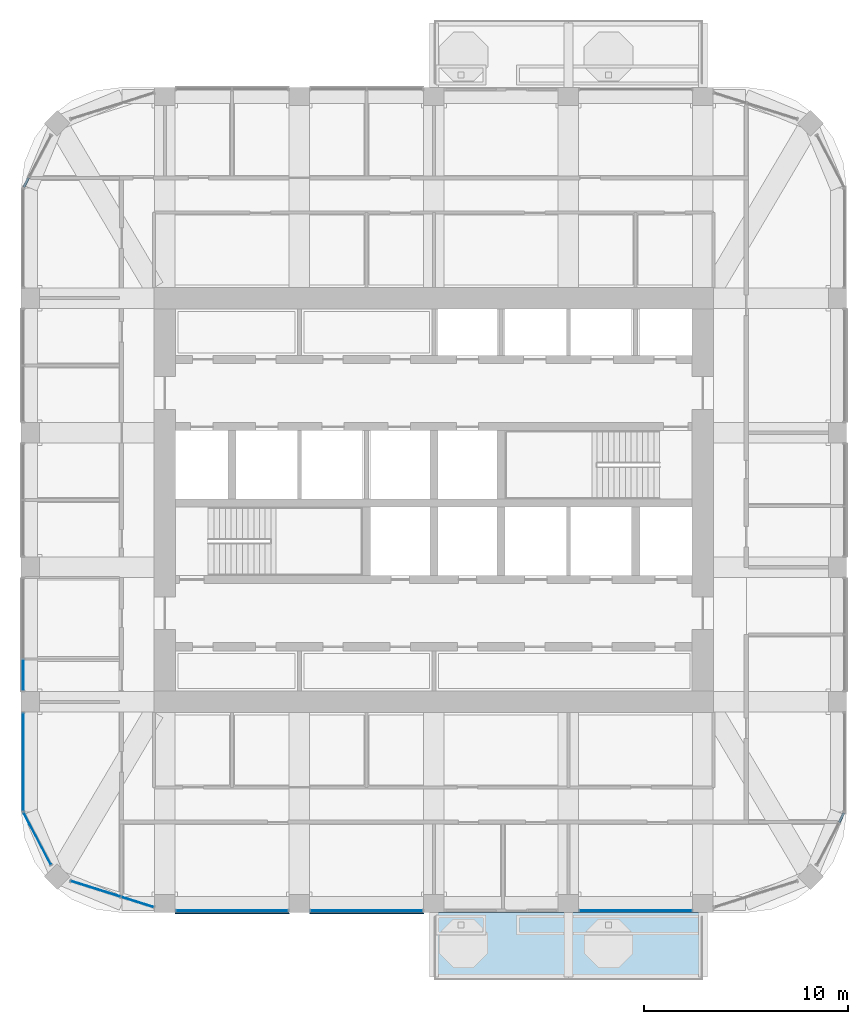
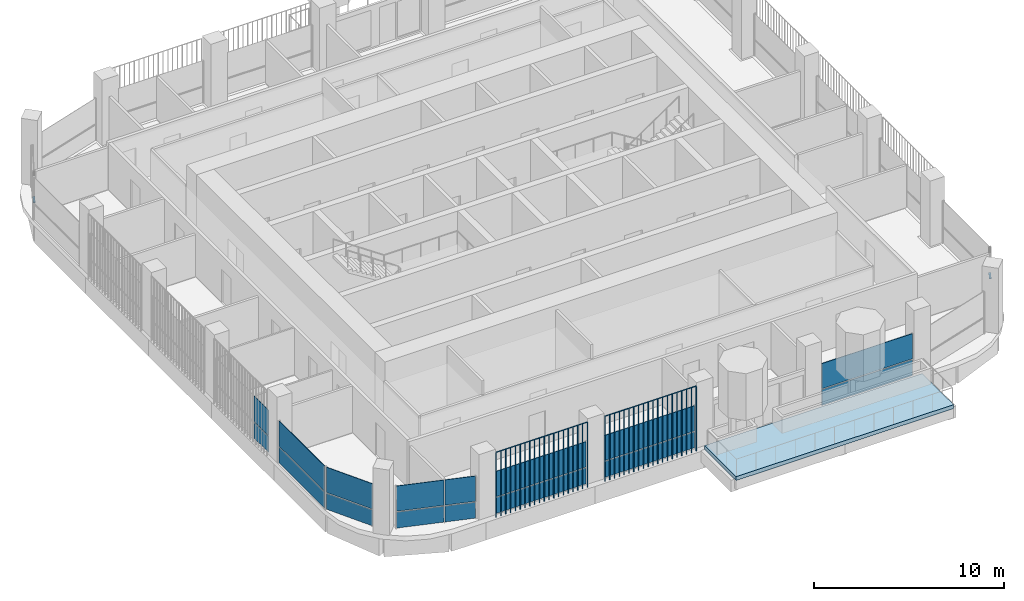
# One storey, part 8 of 21: 18 plates, 2 members, 1 slab, 9 elements without a shape of their own.
"""IFC4 building model written with IfcOpenShell, lengths in metres."""

from ifc_helpers import new_model, si_unit, direction, frame, origin, origin_2d, place, context, subcontext, project, spatial, polyline, rectangle, outline, extrude, material, layer, layer_set, material_profile, profile_set, type_object, element, aggregate, save


model = new_model("IFC4")

# Units and contexts
model_context = context("Model", 3, precision=1e-05, world=origin(), true_north=direction((0.0, 1.0)))
body_context = subcontext(model_context, "Body", "Model", "MODEL_VIEW")
ifc_project = project(units=[si_unit("LENGTHUNIT", "METRE"), si_unit("AREAUNIT", "SQUARE_METRE"), si_unit("VOLUMEUNIT", "CUBIC_METRE"), si_unit("PLANEANGLEUNIT", "RADIAN"), si_unit("MASSUNIT", "GRAM", prefix="KILO")], contexts=[model_context])

# Site, building, storey
site_placement = place(None, origin())
site = spatial("IfcSite", under=ifc_project, at=site_placement, CompositionType="ELEMENT")
building_placement = place(site_placement, origin())
building = spatial("IfcBuilding", under=site, at=building_placement, Name="Cobogo Forest Laboratory Tower", CompositionType="ELEMENT")
storey_placement = place(building_placement, frame((0.0, 0.0, 267.0)))
storey = spatial("IfcBuildingStorey", under=building, at=storey_placement, Name="L61", CompositionType="ELEMENT", Elevation=267.0)

# Curtain wall, member
ifc_material_1 = material(Name="Aluminium curtain wall", Category="aluminium")
curtain_wall_type = type_object("IfcCurtainWallType", Name="CW-2 unitised curtain wall, solar control glazing, laboratory floors zones C and D", PredefinedType="USERDEFINED", material=ifc_material_1)
curtain_wall_1_placement = place(storey_placement, origin())
curtain_wall_1 = element("IfcCurtainWall", 1, at=curtain_wall_1_placement, inside=storey, type_object=curtain_wall_type, Name="Curtain wall 06 L61", ObjectType="UNITISED CURTAIN WALL", PredefinedType="USERDEFINED")
ifc_material_2 = material(Name="Aluminium transom", Category="aluminium")
ifc_material_profile = material_profile(ifc_material_2, rectangle(XDim=0.1201171875, YDim=0.06005859375, at=origin_2d()), Name="AL 60x120")
ifc_profile_set = profile_set([ifc_material_profile], Name="Aluminium transom")
member_type = type_object("IfcMemberType", Name="TR-1 aluminium transom 60x120", PredefinedType="USERDEFINED", material=ifc_profile_set)
member_1_placement = place(storey_placement, frame((46.282470703125, 7.289306640625, 1.050048828125), z_axis=(0.46414828098, 0.885757513806, 0.0), x_axis=(-0.885757513806, 0.46414828098, 0.0)))
member_1 = element("IfcMember", 2, at=member_1_placement, type_object=member_type, Name="CW-2 transom 2.1", ObjectType="TRANSOM", PredefinedType="USERDEFINED", context=body_context, shape_type="SweptSolid", body=[
    extrude(rectangle(XDim=0.1201171875, YDim=0.06005859375, at=origin_2d()), origin(), (0.0, 0.0, 1.0), 0.5166015625),
])
aggregate(curtain_wall_1, [member_1])

curtain_wall_2_placement = place(storey_placement, origin())
curtain_wall_2 = element("IfcCurtainWall", 3, at=curtain_wall_2_placement, inside=storey, type_object=curtain_wall_type, Name="Curtain wall 19 L61", ObjectType="UNITISED CURTAIN WALL", PredefinedType="USERDEFINED")
member_2_placement = place(storey_placement, frame((6.517578125, 38.91064453125, 1.050048828125), z_axis=(-0.46414828098, -0.885757513806, 0.0), x_axis=(0.885757513806, -0.46414828098, 0.0)))
member_2 = element("IfcMember", 4, at=member_2_placement, type_object=member_type, Name="CW-2 transom 2.1", ObjectType="TRANSOM", PredefinedType="USERDEFINED", context=body_context, shape_type="SweptSolid", body=[
    extrude(rectangle(XDim=0.1201171875, YDim=0.06005859375, at=origin_2d()), origin(), (0.0, 0.0, 1.0), 0.5166015625),
])
aggregate(curtain_wall_2, [member_2])

# Slab
ifc_material_3 = material(Name="Concrete HA-40 (C40/50)", Category="concrete")
ifc_layer_1 = layer(ifc_material_3, 0.25)
ifc_layer_set_1 = layer_set([ifc_layer_1], Name="Balcony slab 250")
slab_type = type_object("IfcSlabType", Name="Balcony slab 250", PredefinedType="FLOOR", material=ifc_layer_set_1)
slab_placement = place(storey_placement, frame((0.0, 0.0, -0.25)))
element("IfcSlab", 5, at=slab_placement, inside=storey, type_object=slab_type, Name="Balcony BAL-S1 L61", PredefinedType="FLOOR", context=body_context, shape_type="SweptSolid", body=[
    extrude(outline(polyline([(26.39990234375, -0.449951171875), (39.60009765625, -0.449951171875), (39.60009765625, 2.85009765625), (26.39990234375, 2.85009765625), (26.39990234375, -0.449951171875)])), origin(), (0.0, 0.0, 1.0), 0.25),
])

# Curtain wall, plates
curtain_wall_3_placement = place(storey_placement, origin())
curtain_wall_3 = element("IfcCurtainWall", 6, at=curtain_wall_3_placement, inside=storey, type_object=curtain_wall_type, Name="Curtain wall 01 L61", ObjectType="UNITISED CURTAIN WALL", PredefinedType="USERDEFINED")
ifc_material_4 = material(Name="Solar control insulated glass", Category="glass")
ifc_layer_2 = layer(ifc_material_4, 0.031982421875)
ifc_layer_set_2 = layer_set([ifc_layer_2], Name="GP-2 solar control glass unit 32")
plate_type_1 = type_object("IfcPlateType", Name="GP-2 solar control glass unit 32", PredefinedType="CURTAIN_PANEL", material=ifc_layer_set_2)
plate_1_placement = place(storey_placement, frame((16.5, 2.949951171875, 0.0), z_axis=(0.0, 0.0, 1.0), x_axis=(1.0, 0.0, 0.0)))
plate_1 = element("IfcPlate", 7, at=plate_1_placement, type_object=plate_type_1, Name="CW-2 panel 1.1", PredefinedType="CURTAIN_PANEL", context=body_context, shape_type="SweptSolid", body=[
    extrude(rectangle(XDim=5.47998046875, YDim=0.031982421875, at=origin_2d()), origin(), (0.0, 0.0, 1.0), 1.02001953125),
])
plate_2_placement = place(storey_placement, frame((16.5, 2.949951171875, 1.079833984375), z_axis=(0.0, 0.0, 1.0), x_axis=(1.0, 0.0, 0.0)))
plate_2 = element("IfcPlate", 8, at=plate_2_placement, type_object=plate_type_1, Name="CW-2 panel 1.2", PredefinedType="CURTAIN_PANEL", context=body_context, shape_type="SweptSolid", body=[
    extrude(rectangle(XDim=5.47998046875, YDim=0.031982421875, at=origin_2d()), origin(), (0.0, 0.0, 1.0), 1.6201171875),
])
aggregate(curtain_wall_3, [plate_1, plate_2])

curtain_wall_4_placement = place(storey_placement, origin())
curtain_wall_4 = element("IfcCurtainWall", 9, at=curtain_wall_4_placement, inside=storey, type_object=curtain_wall_type, Name="Curtain wall 02 L61", ObjectType="UNITISED CURTAIN WALL", PredefinedType="USERDEFINED")
plate_3_placement = place(storey_placement, frame((23.10009765625, 2.949951171875, 0.0), z_axis=(0.0, 0.0, 1.0), x_axis=(1.0, 0.0, 0.0)))
plate_3 = element("IfcPlate", 10, at=plate_3_placement, type_object=plate_type_1, Name="CW-2 panel 1.1", PredefinedType="CURTAIN_PANEL", context=body_context, shape_type="SweptSolid", body=[
    extrude(rectangle(XDim=5.47998046875, YDim=0.031982421875, at=origin_2d()), origin(), (0.0, 0.0, 1.0), 1.02001953125),
])
plate_4_placement = place(storey_placement, frame((23.10009765625, 2.949951171875, 1.079833984375), z_axis=(0.0, 0.0, 1.0), x_axis=(1.0, 0.0, 0.0)))
plate_4 = element("IfcPlate", 11, at=plate_4_placement, type_object=plate_type_1, Name="CW-2 panel 1.2", PredefinedType="CURTAIN_PANEL", context=body_context, shape_type="SweptSolid", body=[
    extrude(rectangle(XDim=5.47998046875, YDim=0.031982421875, at=origin_2d()), origin(), (0.0, 0.0, 1.0), 1.6201171875),
])
aggregate(curtain_wall_4, [plate_3, plate_4])

curtain_wall_5_placement = place(storey_placement, origin())
curtain_wall_5 = element("IfcCurtainWall", 12, at=curtain_wall_5_placement, inside=storey, type_object=curtain_wall_type, Name="Curtain wall 04 L61", ObjectType="UNITISED CURTAIN WALL", PredefinedType="USERDEFINED")
plate_5_placement = place(storey_placement, frame((36.300048828125, 2.949951171875, 0.0), z_axis=(0.0, 0.0, 1.0), x_axis=(1.0, 0.0, 0.0)))
plate_5 = element("IfcPlate", 13, at=plate_5_placement, type_object=plate_type_1, Name="CW-2 panel 1.1", PredefinedType="CURTAIN_PANEL", context=body_context, shape_type="SweptSolid", body=[
    extrude(rectangle(XDim=5.47998046875, YDim=0.031982421875, at=origin_2d()), origin(), (0.0, 0.0, 1.0), 1.02001953125),
])
plate_6_placement = place(storey_placement, frame((36.300048828125, 2.949951171875, 1.079833984375), z_axis=(0.0, 0.0, 1.0), x_axis=(1.0, 0.0, 0.0)))
plate_6 = element("IfcPlate", 14, at=plate_6_placement, type_object=plate_type_1, Name="CW-2 panel 1.2", PredefinedType="CURTAIN_PANEL", context=body_context, shape_type="SweptSolid", body=[
    extrude(rectangle(XDim=5.47998046875, YDim=0.031982421875, at=origin_2d()), origin(), (0.0, 0.0, 1.0), 1.6201171875),
])
aggregate(curtain_wall_5, [plate_5, plate_6])

curtain_wall_6_placement = place(storey_placement, origin())
curtain_wall_6 = element("IfcCurtainWall", 15, at=curtain_wall_6_placement, inside=storey, type_object=curtain_wall_type, Name="Curtain wall 23 L61", ObjectType="UNITISED CURTAIN WALL", PredefinedType="USERDEFINED")
plate_7_placement = place(storey_placement, frame((6.25, 14.514892578125, 0.0), z_axis=(0.0, 0.0, 1.0), x_axis=(0.0, -1.0, 0.0)))
plate_7 = element("IfcPlate", 16, at=plate_7_placement, type_object=plate_type_1, Name="CW-2 panel 2.1", PredefinedType="CURTAIN_PANEL", context=body_context, shape_type="SweptSolid", body=[
    extrude(rectangle(XDim=1.510009765625, YDim=0.031982421875, at=origin_2d()), origin(), (0.0, 0.0, 1.0), 1.02001953125),
])
plate_8_placement = place(storey_placement, frame((6.25, 14.514892578125, 1.079833984375), z_axis=(0.0, 0.0, 1.0), x_axis=(0.0, -1.0, 0.0)))
plate_8 = element("IfcPlate", 17, at=plate_8_placement, type_object=plate_type_1, Name="CW-2 panel 2.2", PredefinedType="CURTAIN_PANEL", context=body_context, shape_type="SweptSolid", body=[
    extrude(rectangle(XDim=1.510009765625, YDim=0.031982421875, at=origin_2d()), origin(), (0.0, 0.0, 1.0), 1.6201171875),
])
aggregate(curtain_wall_6, [plate_7, plate_8])

curtain_wall_7_placement = place(storey_placement, origin())
curtain_wall_7 = element("IfcCurtainWall", 18, at=curtain_wall_7_placement, inside=storey, type_object=curtain_wall_type, Name="Curtain wall 24 L61", ObjectType="UNITISED CURTAIN WALL", PredefinedType="USERDEFINED")
plate_9_placement = place(storey_placement, frame((6.25, 10.25, 0.0), z_axis=(0.0, 0.0, 1.0), x_axis=(0.0, -1.0, 0.0)))
plate_9 = element("IfcPlate", 19, at=plate_9_placement, type_object=plate_type_1, Name="CW-2 panel 1.1", PredefinedType="CURTAIN_PANEL", context=body_context, shape_type="SweptSolid", body=[
    extrude(rectangle(XDim=4.780029296875, YDim=0.031982421875, at=origin_2d()), origin(), (0.0, 0.0, 1.0), 1.02001953125),
])
plate_10_placement = place(storey_placement, frame((6.25, 10.25, 1.079833984375), z_axis=(0.0, 0.0, 1.0), x_axis=(0.0, -1.0, 0.0)))
plate_10 = element("IfcPlate", 20, at=plate_10_placement, type_object=plate_type_1, Name="CW-2 panel 1.2", PredefinedType="CURTAIN_PANEL", context=body_context, shape_type="SweptSolid", body=[
    extrude(rectangle(XDim=4.780029296875, YDim=0.031982421875, at=origin_2d()), origin(), (0.0, 0.0, 1.0), 1.6201171875),
])
aggregate(curtain_wall_7, [plate_9, plate_10])

curtain_wall_8_placement = place(storey_placement, origin())
curtain_wall_8 = element("IfcCurtainWall", 21, at=curtain_wall_8_placement, inside=storey, type_object=curtain_wall_type, Name="Curtain wall 25 L61", ObjectType="UNITISED CURTAIN WALL", PredefinedType="USERDEFINED")
plate_11_placement = place(storey_placement, frame((6.94287109375, 6.47802734375, 0.0), z_axis=(0.0, 0.0, 1.0), x_axis=(0.464283778337, -0.885686498245, 0.0)))
plate_11 = element("IfcPlate", 22, at=plate_11_placement, type_object=plate_type_1, Name="CW-2 panel 1.1", PredefinedType="CURTAIN_PANEL", context=body_context, shape_type="SweptSolid", body=[
    extrude(rectangle(XDim=2.864990234375, YDim=0.031982421875, at=origin_2d()), origin(), (0.0, 0.0, 1.0), 1.02001953125),
])
plate_12_placement = place(storey_placement, frame((6.94287109375, 6.47802734375, 1.079833984375), z_axis=(0.0, 0.0, 1.0), x_axis=(0.464283778337, -0.885686498245, 0.0)))
plate_12 = element("IfcPlate", 23, at=plate_12_placement, type_object=plate_type_1, Name="CW-2 panel 1.2", PredefinedType="CURTAIN_PANEL", context=body_context, shape_type="SweptSolid", body=[
    extrude(rectangle(XDim=2.864990234375, YDim=0.031982421875, at=origin_2d()), origin(), (0.0, 0.0, 1.0), 1.6201171875),
])
aggregate(curtain_wall_8, [plate_11, plate_12])

curtain_wall_9_placement = place(storey_placement, origin())
curtain_wall_9 = element("IfcCurtainWall", 24, at=curtain_wall_9_placement, inside=storey, type_object=curtain_wall_type, Name="Curtain wall 26 L61", ObjectType="UNITISED CURTAIN WALL", PredefinedType="USERDEFINED")
plate_13_placement = place(storey_placement, frame((9.810546875, 4.0205078125, 0.0), z_axis=(0.0, 0.0, 1.0), x_axis=(0.953581379409, -0.301135439371, 0.0)))
plate_13 = element("IfcPlate", 25, at=plate_13_placement, type_object=plate_type_1, Name="CW-2 panel 1.1", PredefinedType="CURTAIN_PANEL", context=body_context, shape_type="SweptSolid", body=[
    extrude(rectangle(XDim=2.541748046875, YDim=0.031982421875, at=origin_2d()), origin(), (0.0, 0.0, 1.0), 1.02001953125),
])
plate_14_placement = place(storey_placement, frame((9.810546875, 4.0205078125, 1.079833984375), z_axis=(0.0, 0.0, 1.0), x_axis=(0.953581379409, -0.301135439371, 0.0)))
plate_14 = element("IfcPlate", 26, at=plate_14_placement, type_object=plate_type_1, Name="CW-2 panel 1.2", PredefinedType="CURTAIN_PANEL", context=body_context, shape_type="SweptSolid", body=[
    extrude(rectangle(XDim=2.541748046875, YDim=0.031982421875, at=origin_2d()), origin(), (0.0, 0.0, 1.0), 1.6201171875),
])
plate_15_placement = place(storey_placement, frame((11.861083984375, 3.372802734375, 0.0), z_axis=(0.0, 0.0, 1.0), x_axis=(0.953581379409, -0.301135439371, 0.0)))
plate_15 = element("IfcPlate", 27, at=plate_15_placement, type_object=plate_type_1, Name="CW-2 panel 2.1", PredefinedType="CURTAIN_PANEL", context=body_context, shape_type="SweptSolid", body=[
    extrude(rectangle(XDim=1.639404296875, YDim=0.031982421875, at=origin_2d()), origin(), (0.0, 0.0, 1.0), 1.02001953125),
])
plate_16_placement = place(storey_placement, frame((11.861083984375, 3.372802734375, 1.079833984375), z_axis=(0.0, 0.0, 1.0), x_axis=(0.953581379409, -0.301135439371, 0.0)))
plate_16 = element("IfcPlate", 28, at=plate_16_placement, type_object=plate_type_1, Name="CW-2 panel 2.2", PredefinedType="CURTAIN_PANEL", context=body_context, shape_type="SweptSolid", body=[
    extrude(rectangle(XDim=1.639404296875, YDim=0.031982421875, at=origin_2d()), origin(), (0.0, 0.0, 1.0), 1.6201171875),
])
aggregate(curtain_wall_9, [plate_13, plate_14, plate_15, plate_16])

# Plates
ifc_material_5 = material(Name="Terracotta", Category="masonry")
plate_type_2 = type_object("IfcPlateType", Name="TB1 terracotta baguette screen", PredefinedType="USERDEFINED", material=ifc_material_5)
plate_17_placement = place(storey_placement, frame((13.731201171875, 2.822021484375, -0.14990234375)))
element("IfcPlate", 29, at=plate_17_placement, inside=storey, type_object=plate_type_2, Name="Baguette screen S1 L61", ObjectType="BAGUETTE SCREEN", PredefinedType="USERDEFINED", context=body_context, shape_type="SweptSolid", body=[
    extrude(outline(polyline([(0.02880859375, 0.011962890625), (0.011962890625, 0.02880859375), (-0.011962890625, 0.02880859375), (-0.02880859375, 0.011962890625), (-0.02880859375, -0.011962890625), (-0.011962890625, -0.02880859375), (0.011962890625, -0.02880859375), (0.02880859375, -0.011962890625), (0.02880859375, 0.011962890625)])), frame((0.0, 0.0, 4.168701171875), z_axis=(1.0, 0.0, 0.0), x_axis=(0.0, 1.0, 0.0)), (0.0, 0.0, 1.0), 5.53759765625),
    extrude(outline(polyline([(0.02880859375, 0.011962890625), (0.011962890625, 0.02880859375), (-0.011962890625, 0.02880859375), (-0.02880859375, 0.011962890625), (-0.02880859375, -0.011962890625), (-0.011962890625, -0.02880859375), (0.011962890625, -0.02880859375), (0.02880859375, -0.011962890625), (0.02880859375, 0.011962890625)])), origin(), (0.0, 0.0, 1.0), 4.137451171875),
    extrude(outline(polyline([(0.02880859375, 0.011962890625), (0.011962890625, 0.02880859375), (-0.011962890625, 0.02880859375), (-0.02880859375, 0.011962890625), (-0.02880859375, -0.011962890625), (-0.011962890625, -0.02880859375), (0.011962890625, -0.02880859375), (0.02880859375, -0.011962890625), (0.02880859375, 0.011962890625)])), frame((0.29150390625, 0.0, 0.0)), (0.0, 0.0, 1.0), 4.137451171875),
    extrude(outline(polyline([(0.02880859375, 0.011962890625), (0.011962890625, 0.02880859375), (-0.011962890625, 0.02880859375), (-0.02880859375, 0.011962890625), (-0.02880859375, -0.011962890625), (-0.011962890625, -0.02880859375), (0.011962890625, -0.02880859375), (0.02880859375, -0.011962890625), (0.02880859375, 0.011962890625)])), frame((0.5830078125, 0.0, 0.0)), (0.0, 0.0, 1.0), 4.137451171875),
    extrude(outline(polyline([(0.02880859375, 0.011962890625), (0.011962890625, 0.02880859375), (-0.011962890625, 0.02880859375), (-0.02880859375, 0.011962890625), (-0.02880859375, -0.011962890625), (-0.011962890625, -0.02880859375), (0.011962890625, -0.02880859375), (0.02880859375, -0.011962890625), (0.02880859375, 0.011962890625)])), frame((0.874267578125, 0.0, 0.0)), (0.0, 0.0, 1.0), 4.137451171875),
    extrude(outline(polyline([(0.02880859375, 0.011962890625), (0.011962890625, 0.02880859375), (-0.011962890625, 0.02880859375), (-0.02880859375, 0.011962890625), (-0.02880859375, -0.011962890625), (-0.011962890625, -0.02880859375), (0.011962890625, -0.02880859375), (0.02880859375, -0.011962890625), (0.02880859375, 0.011962890625)])), frame((1.165771484375, 0.0, 0.0)), (0.0, 0.0, 1.0), 4.137451171875),
    extrude(outline(polyline([(0.02880859375, 0.011962890625), (0.011962890625, 0.02880859375), (-0.011962890625, 0.02880859375), (-0.02880859375, 0.011962890625), (-0.02880859375, -0.011962890625), (-0.011962890625, -0.02880859375), (0.011962890625, -0.02880859375), (0.02880859375, -0.011962890625), (0.02880859375, 0.011962890625)])), frame((1.457275390625, 0.0, 0.0)), (0.0, 0.0, 1.0), 4.137451171875),
    extrude(outline(polyline([(0.02880859375, 0.011962890625), (0.011962890625, 0.02880859375), (-0.011962890625, 0.02880859375), (-0.02880859375, 0.011962890625), (-0.02880859375, -0.011962890625), (-0.011962890625, -0.02880859375), (0.011962890625, -0.02880859375), (0.02880859375, -0.011962890625), (0.02880859375, 0.011962890625)])), frame((1.748779296875, 0.0, 0.0)), (0.0, 0.0, 1.0), 4.137451171875),
    extrude(outline(polyline([(0.02880859375, 0.011962890625), (0.011962890625, 0.02880859375), (-0.011962890625, 0.02880859375), (-0.02880859375, 0.011962890625), (-0.02880859375, -0.011962890625), (-0.011962890625, -0.02880859375), (0.011962890625, -0.02880859375), (0.02880859375, -0.011962890625), (0.02880859375, 0.011962890625)])), frame((2.040283203125, 0.0, 0.0)), (0.0, 0.0, 1.0), 4.137451171875),
    extrude(outline(polyline([(0.02880859375, 0.011962890625), (0.011962890625, 0.02880859375), (-0.011962890625, 0.02880859375), (-0.02880859375, 0.011962890625), (-0.02880859375, -0.011962890625), (-0.011962890625, -0.02880859375), (0.011962890625, -0.02880859375), (0.02880859375, -0.011962890625), (0.02880859375, 0.011962890625)])), frame((2.33154296875, 0.0, 0.0)), (0.0, 0.0, 1.0), 4.137451171875),
    extrude(outline(polyline([(0.02880859375, 0.011962890625), (0.011962890625, 0.02880859375), (-0.011962890625, 0.02880859375), (-0.02880859375, 0.011962890625), (-0.02880859375, -0.011962890625), (-0.011962890625, -0.02880859375), (0.011962890625, -0.02880859375), (0.02880859375, -0.011962890625), (0.02880859375, 0.011962890625)])), frame((2.623046875, 0.0, 0.0)), (0.0, 0.0, 1.0), 4.137451171875),
    extrude(outline(polyline([(0.02880859375, 0.011962890625), (0.011962890625, 0.02880859375), (-0.011962890625, 0.02880859375), (-0.02880859375, 0.011962890625), (-0.02880859375, -0.011962890625), (-0.011962890625, -0.02880859375), (0.011962890625, -0.02880859375), (0.02880859375, -0.011962890625), (0.02880859375, 0.011962890625)])), frame((2.91455078125, 0.0, 0.0)), (0.0, 0.0, 1.0), 4.137451171875),
    extrude(outline(polyline([(0.02880859375, 0.011962890625), (0.011962890625, 0.02880859375), (-0.011962890625, 0.02880859375), (-0.02880859375, 0.011962890625), (-0.02880859375, -0.011962890625), (-0.011962890625, -0.02880859375), (0.011962890625, -0.02880859375), (0.02880859375, -0.011962890625), (0.02880859375, 0.011962890625)])), frame((3.2060546875, 0.0, 0.0)), (0.0, 0.0, 1.0), 4.137451171875),
    extrude(outline(polyline([(0.02880859375, 0.011962890625), (0.011962890625, 0.02880859375), (-0.011962890625, 0.02880859375), (-0.02880859375, 0.011962890625), (-0.02880859375, -0.011962890625), (-0.011962890625, -0.02880859375), (0.011962890625, -0.02880859375), (0.02880859375, -0.011962890625), (0.02880859375, 0.011962890625)])), frame((3.497314453125, 0.0, 0.0)), (0.0, 0.0, 1.0), 4.137451171875),
    extrude(outline(polyline([(0.02880859375, 0.011962890625), (0.011962890625, 0.02880859375), (-0.011962890625, 0.02880859375), (-0.02880859375, 0.011962890625), (-0.02880859375, -0.011962890625), (-0.011962890625, -0.02880859375), (0.011962890625, -0.02880859375), (0.02880859375, -0.011962890625), (0.02880859375, 0.011962890625)])), frame((3.788818359375, 0.0, 0.0)), (0.0, 0.0, 1.0), 4.137451171875),
    extrude(outline(polyline([(0.02880859375, 0.011962890625), (0.011962890625, 0.02880859375), (-0.011962890625, 0.02880859375), (-0.02880859375, 0.011962890625), (-0.02880859375, -0.011962890625), (-0.011962890625, -0.02880859375), (0.011962890625, -0.02880859375), (0.02880859375, -0.011962890625), (0.02880859375, 0.011962890625)])), frame((4.080322265625, 0.0, 0.0)), (0.0, 0.0, 1.0), 4.137451171875),
    extrude(outline(polyline([(0.02880859375, 0.011962890625), (0.011962890625, 0.02880859375), (-0.011962890625, 0.02880859375), (-0.02880859375, 0.011962890625), (-0.02880859375, -0.011962890625), (-0.011962890625, -0.02880859375), (0.011962890625, -0.02880859375), (0.02880859375, -0.011962890625), (0.02880859375, 0.011962890625)])), frame((4.371826171875, 0.0, 0.0)), (0.0, 0.0, 1.0), 4.137451171875),
    extrude(outline(polyline([(0.02880859375, 0.011962890625), (0.011962890625, 0.02880859375), (-0.011962890625, 0.02880859375), (-0.02880859375, 0.011962890625), (-0.02880859375, -0.011962890625), (-0.011962890625, -0.02880859375), (0.011962890625, -0.02880859375), (0.02880859375, -0.011962890625), (0.02880859375, 0.011962890625)])), frame((4.663330078125, 0.0, 0.0)), (0.0, 0.0, 1.0), 4.137451171875),
    extrude(outline(polyline([(0.02880859375, 0.011962890625), (0.011962890625, 0.02880859375), (-0.011962890625, 0.02880859375), (-0.02880859375, 0.011962890625), (-0.02880859375, -0.011962890625), (-0.011962890625, -0.02880859375), (0.011962890625, -0.02880859375), (0.02880859375, -0.011962890625), (0.02880859375, 0.011962890625)])), frame((4.95458984375, 0.0, 0.0)), (0.0, 0.0, 1.0), 4.137451171875),
    extrude(outline(polyline([(0.02880859375, 0.011962890625), (0.011962890625, 0.02880859375), (-0.011962890625, 0.02880859375), (-0.02880859375, 0.011962890625), (-0.02880859375, -0.011962890625), (-0.011962890625, -0.02880859375), (0.011962890625, -0.02880859375), (0.02880859375, -0.011962890625), (0.02880859375, 0.011962890625)])), frame((5.24609375, 0.0, 0.0)), (0.0, 0.0, 1.0), 4.137451171875),
    extrude(outline(polyline([(0.02880859375, 0.011962890625), (0.011962890625, 0.02880859375), (-0.011962890625, 0.02880859375), (-0.02880859375, 0.011962890625), (-0.02880859375, -0.011962890625), (-0.011962890625, -0.02880859375), (0.011962890625, -0.02880859375), (0.02880859375, -0.011962890625), (0.02880859375, 0.011962890625)])), frame((5.53759765625, 0.0, 0.0)), (0.0, 0.0, 1.0), 4.137451171875),
])
plate_18_placement = place(storey_placement, frame((20.331298828125, 2.822021484375, -0.14990234375)))
element("IfcPlate", 30, at=plate_18_placement, inside=storey, type_object=plate_type_2, Name="Baguette screen S2 L61", ObjectType="BAGUETTE SCREEN", PredefinedType="USERDEFINED", context=body_context, shape_type="SweptSolid", body=[
    extrude(outline(polyline([(0.02880859375, 0.011962890625), (0.011962890625, 0.02880859375), (-0.011962890625, 0.02880859375), (-0.02880859375, 0.011962890625), (-0.02880859375, -0.011962890625), (-0.011962890625, -0.02880859375), (0.011962890625, -0.02880859375), (0.02880859375, -0.011962890625), (0.02880859375, 0.011962890625)])), frame((0.0, 0.0, 4.168701171875), z_axis=(1.0, 0.0, 0.0), x_axis=(0.0, 1.0, 0.0)), (0.0, 0.0, 1.0), 5.537353515625),
    extrude(outline(polyline([(0.02880859375, 0.011962890625), (0.011962890625, 0.02880859375), (-0.011962890625, 0.02880859375), (-0.02880859375, 0.011962890625), (-0.02880859375, -0.011962890625), (-0.011962890625, -0.02880859375), (0.011962890625, -0.02880859375), (0.02880859375, -0.011962890625), (0.02880859375, 0.011962890625)])), origin(), (0.0, 0.0, 1.0), 4.137451171875),
    extrude(outline(polyline([(0.02880859375, 0.011962890625), (0.011962890625, 0.02880859375), (-0.011962890625, 0.02880859375), (-0.02880859375, 0.011962890625), (-0.02880859375, -0.011962890625), (-0.011962890625, -0.02880859375), (0.011962890625, -0.02880859375), (0.02880859375, -0.011962890625), (0.02880859375, 0.011962890625)])), frame((0.29150390625, 0.0, 0.0)), (0.0, 0.0, 1.0), 4.137451171875),
    extrude(outline(polyline([(0.02880859375, 0.011962890625), (0.011962890625, 0.02880859375), (-0.011962890625, 0.02880859375), (-0.02880859375, 0.011962890625), (-0.02880859375, -0.011962890625), (-0.011962890625, -0.02880859375), (0.011962890625, -0.02880859375), (0.02880859375, -0.011962890625), (0.02880859375, 0.011962890625)])), frame((0.582763671875, 0.0, 0.0)), (0.0, 0.0, 1.0), 4.137451171875),
    extrude(outline(polyline([(0.02880859375, 0.011962890625), (0.011962890625, 0.02880859375), (-0.011962890625, 0.02880859375), (-0.02880859375, 0.011962890625), (-0.02880859375, -0.011962890625), (-0.011962890625, -0.02880859375), (0.011962890625, -0.02880859375), (0.02880859375, -0.011962890625), (0.02880859375, 0.011962890625)])), frame((0.874267578125, 0.0, 0.0)), (0.0, 0.0, 1.0), 4.137451171875),
    extrude(outline(polyline([(0.02880859375, 0.011962890625), (0.011962890625, 0.02880859375), (-0.011962890625, 0.02880859375), (-0.02880859375, 0.011962890625), (-0.02880859375, -0.011962890625), (-0.011962890625, -0.02880859375), (0.011962890625, -0.02880859375), (0.02880859375, -0.011962890625), (0.02880859375, 0.011962890625)])), frame((1.165771484375, 0.0, 0.0)), (0.0, 0.0, 1.0), 4.137451171875),
    extrude(outline(polyline([(0.02880859375, 0.011962890625), (0.011962890625, 0.02880859375), (-0.011962890625, 0.02880859375), (-0.02880859375, 0.011962890625), (-0.02880859375, -0.011962890625), (-0.011962890625, -0.02880859375), (0.011962890625, -0.02880859375), (0.02880859375, -0.011962890625), (0.02880859375, 0.011962890625)])), frame((1.457275390625, 0.0, 0.0)), (0.0, 0.0, 1.0), 4.137451171875),
    extrude(outline(polyline([(0.02880859375, 0.011962890625), (0.011962890625, 0.02880859375), (-0.011962890625, 0.02880859375), (-0.02880859375, 0.011962890625), (-0.02880859375, -0.011962890625), (-0.011962890625, -0.02880859375), (0.011962890625, -0.02880859375), (0.02880859375, -0.011962890625), (0.02880859375, 0.011962890625)])), frame((1.74853515625, 0.0, 0.0)), (0.0, 0.0, 1.0), 4.137451171875),
    extrude(outline(polyline([(0.02880859375, 0.011962890625), (0.011962890625, 0.02880859375), (-0.011962890625, 0.02880859375), (-0.02880859375, 0.011962890625), (-0.02880859375, -0.011962890625), (-0.011962890625, -0.02880859375), (0.011962890625, -0.02880859375), (0.02880859375, -0.011962890625), (0.02880859375, 0.011962890625)])), frame((2.0400390625, 0.0, 0.0)), (0.0, 0.0, 1.0), 4.137451171875),
    extrude(outline(polyline([(0.02880859375, 0.011962890625), (0.011962890625, 0.02880859375), (-0.011962890625, 0.02880859375), (-0.02880859375, 0.011962890625), (-0.02880859375, -0.011962890625), (-0.011962890625, -0.02880859375), (0.011962890625, -0.02880859375), (0.02880859375, -0.011962890625), (0.02880859375, 0.011962890625)])), frame((2.33154296875, 0.0, 0.0)), (0.0, 0.0, 1.0), 4.137451171875),
    extrude(outline(polyline([(0.02880859375, 0.011962890625), (0.011962890625, 0.02880859375), (-0.011962890625, 0.02880859375), (-0.02880859375, 0.011962890625), (-0.02880859375, -0.011962890625), (-0.011962890625, -0.02880859375), (0.011962890625, -0.02880859375), (0.02880859375, -0.011962890625), (0.02880859375, 0.011962890625)])), frame((2.623046875, 0.0, 0.0)), (0.0, 0.0, 1.0), 4.137451171875),
    extrude(outline(polyline([(0.02880859375, 0.011962890625), (0.011962890625, 0.02880859375), (-0.011962890625, 0.02880859375), (-0.02880859375, 0.011962890625), (-0.02880859375, -0.011962890625), (-0.011962890625, -0.02880859375), (0.011962890625, -0.02880859375), (0.02880859375, -0.011962890625), (0.02880859375, 0.011962890625)])), frame((2.914306640625, 0.0, 0.0)), (0.0, 0.0, 1.0), 4.137451171875),
    extrude(outline(polyline([(0.02880859375, 0.011962890625), (0.011962890625, 0.02880859375), (-0.011962890625, 0.02880859375), (-0.02880859375, 0.011962890625), (-0.02880859375, -0.011962890625), (-0.011962890625, -0.02880859375), (0.011962890625, -0.02880859375), (0.02880859375, -0.011962890625), (0.02880859375, 0.011962890625)])), frame((3.205810546875, 0.0, 0.0)), (0.0, 0.0, 1.0), 4.137451171875),
    extrude(outline(polyline([(0.02880859375, 0.011962890625), (0.011962890625, 0.02880859375), (-0.011962890625, 0.02880859375), (-0.02880859375, 0.011962890625), (-0.02880859375, -0.011962890625), (-0.011962890625, -0.02880859375), (0.011962890625, -0.02880859375), (0.02880859375, -0.011962890625), (0.02880859375, 0.011962890625)])), frame((3.497314453125, 0.0, 0.0)), (0.0, 0.0, 1.0), 4.137451171875),
    extrude(outline(polyline([(0.02880859375, 0.011962890625), (0.011962890625, 0.02880859375), (-0.011962890625, 0.02880859375), (-0.02880859375, 0.011962890625), (-0.02880859375, -0.011962890625), (-0.011962890625, -0.02880859375), (0.011962890625, -0.02880859375), (0.02880859375, -0.011962890625), (0.02880859375, 0.011962890625)])), frame((3.788818359375, 0.0, 0.0)), (0.0, 0.0, 1.0), 4.137451171875),
    extrude(outline(polyline([(0.02880859375, 0.011962890625), (0.011962890625, 0.02880859375), (-0.011962890625, 0.02880859375), (-0.02880859375, 0.011962890625), (-0.02880859375, -0.011962890625), (-0.011962890625, -0.02880859375), (0.011962890625, -0.02880859375), (0.02880859375, -0.011962890625), (0.02880859375, 0.011962890625)])), frame((4.080078125, 0.0, 0.0)), (0.0, 0.0, 1.0), 4.137451171875),
    extrude(outline(polyline([(0.02880859375, 0.011962890625), (0.011962890625, 0.02880859375), (-0.011962890625, 0.02880859375), (-0.02880859375, 0.011962890625), (-0.02880859375, -0.011962890625), (-0.011962890625, -0.02880859375), (0.011962890625, -0.02880859375), (0.02880859375, -0.011962890625), (0.02880859375, 0.011962890625)])), frame((4.37158203125, 0.0, 0.0)), (0.0, 0.0, 1.0), 4.137451171875),
    extrude(outline(polyline([(0.02880859375, 0.011962890625), (0.011962890625, 0.02880859375), (-0.011962890625, 0.02880859375), (-0.02880859375, 0.011962890625), (-0.02880859375, -0.011962890625), (-0.011962890625, -0.02880859375), (0.011962890625, -0.02880859375), (0.02880859375, -0.011962890625), (0.02880859375, 0.011962890625)])), frame((4.6630859375, 0.0, 0.0)), (0.0, 0.0, 1.0), 4.137451171875),
    extrude(outline(polyline([(0.02880859375, 0.011962890625), (0.011962890625, 0.02880859375), (-0.011962890625, 0.02880859375), (-0.02880859375, 0.011962890625), (-0.02880859375, -0.011962890625), (-0.011962890625, -0.02880859375), (0.011962890625, -0.02880859375), (0.02880859375, -0.011962890625), (0.02880859375, 0.011962890625)])), frame((4.95458984375, 0.0, 0.0)), (0.0, 0.0, 1.0), 4.137451171875),
    extrude(outline(polyline([(0.02880859375, 0.011962890625), (0.011962890625, 0.02880859375), (-0.011962890625, 0.02880859375), (-0.02880859375, 0.011962890625), (-0.02880859375, -0.011962890625), (-0.011962890625, -0.02880859375), (0.011962890625, -0.02880859375), (0.02880859375, -0.011962890625), (0.02880859375, 0.011962890625)])), frame((5.245849609375, 0.0, 0.0)), (0.0, 0.0, 1.0), 4.137451171875),
    extrude(outline(polyline([(0.02880859375, 0.011962890625), (0.011962890625, 0.02880859375), (-0.011962890625, 0.02880859375), (-0.02880859375, 0.011962890625), (-0.02880859375, -0.011962890625), (-0.011962890625, -0.02880859375), (0.011962890625, -0.02880859375), (0.02880859375, -0.011962890625), (0.02880859375, 0.011962890625)])), frame((5.537353515625, 0.0, 0.0)), (0.0, 0.0, 1.0), 4.137451171875),
])

save(model, "model.ifc")
